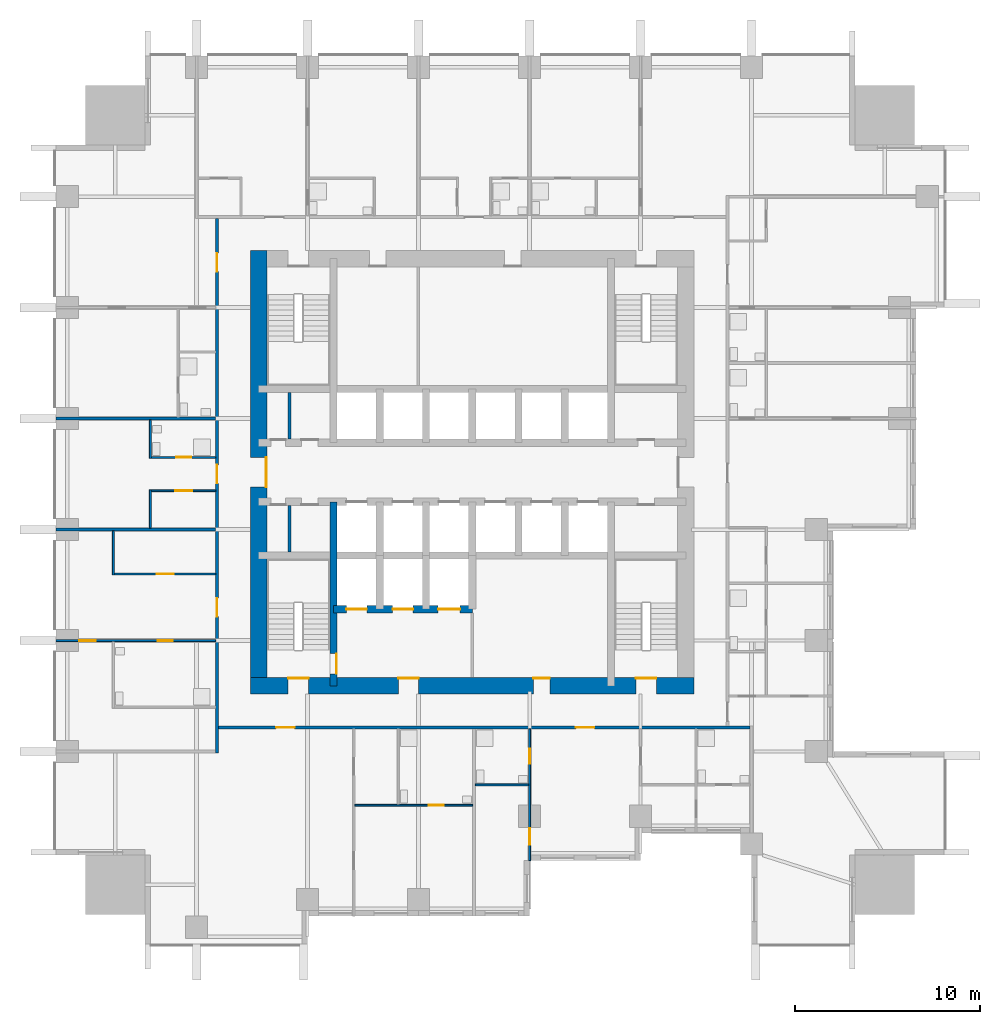
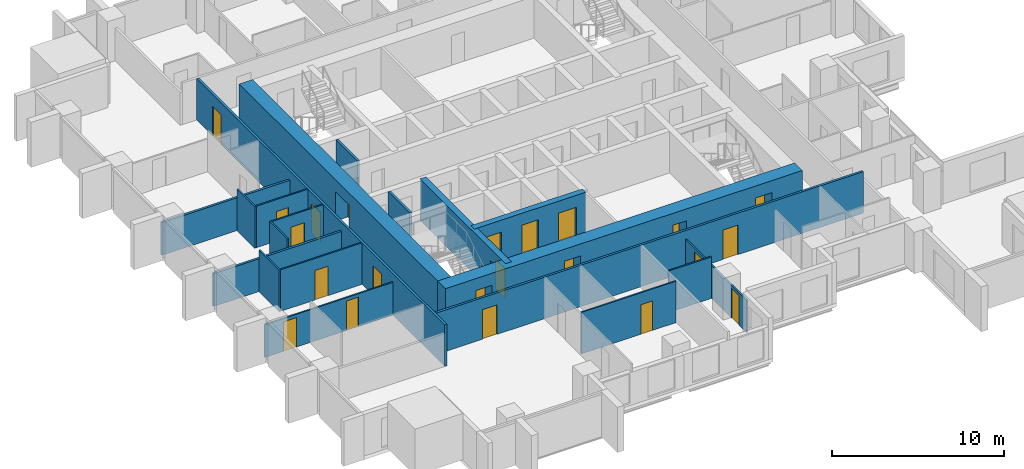
# One storey, part 4 of 10: 22 doors, 20 walls, 22 openings.
"""IFC4 building model written with IfcOpenShell, lengths in metres."""

from ifc_helpers import new_model, si_unit, direction, frame, frame_2d, origin, place, context, subcontext, project, spatial, rectangle, extrude, material, layer, layer_set, type_object, element, fill, save


model = new_model("IFC4")

# Units and contexts
model_context = context("Model", 3, precision=1e-05, world=origin(), true_north=direction((0.0, 1.0)))
body_context = subcontext(model_context, "Body", "Model", "MODEL_VIEW")
ifc_project = project(units=[si_unit("LENGTHUNIT", "METRE"), si_unit("AREAUNIT", "SQUARE_METRE"), si_unit("VOLUMEUNIT", "CUBIC_METRE"), si_unit("PLANEANGLEUNIT", "RADIAN"), si_unit("MASSUNIT", "GRAM", prefix="KILO")], contexts=[model_context])

# Site, building, storey
site_placement = place(None, origin())
site = spatial("IfcSite", under=ifc_project, at=site_placement, CompositionType="ELEMENT")
building_placement = place(site_placement, origin())
building = spatial("IfcBuilding", under=site, at=building_placement, Name="Amberfall Residences", CompositionType="ELEMENT")
storey_placement = place(building_placement, frame((0.0, 0.0, 66.39990234375)))
storey = spatial("IfcBuildingStorey", under=building, at=storey_placement, Name="L18", CompositionType="ELEMENT", Elevation=66.39990234375)

# Wall, opening, door
ifc_material_1 = material(Name="Concrete C80", Category="concrete")
ifc_layer_1 = layer(ifc_material_1, 0.39990234375)
ifc_layer_set_1 = layer_set([ifc_layer_1], Name="Core wall 400 C80")
wall_type_1 = type_object("IfcWallType", Name="Core wall 400 C80", PredefinedType="SHEAR", material=ifc_layer_set_1)
wall_1_placement = place(storey_placement, frame((67.0, 33.949951171875, 0.0), z_axis=(0.0, 0.0, 1.0), x_axis=(0.0, 1.0, 0.0)))
wall_1 = element("IfcWall", 1, at=wall_1_placement, inside=storey, type_object=wall_type_1, Name="Core wall RW2 L18 V45S", PredefinedType="SHEAR", context=body_context, shape_type="SweptSolid", body=[
    extrude(rectangle(XDim=9.949951171875, YDim=0.39990234375, at=frame_2d((4.97509765625, 0.0))), origin(), (0.0, 0.0, 1.0), 2.9501953125),
])
opening_1_placement = place(wall_1_placement, frame((0.64990234375, 0.0, 0.0)))
opening_1 = element("IfcOpeningElement", 2, at=opening_1_placement, cuts=wall_1, Name="Opening FL1", PredefinedType="OPENING", context=body_context, shape_type="SweptSolid", body=[
    extrude(rectangle(XDim=1.10009765625, YDim=2.10009765625, at=frame_2d((0.550048828125, 1.050048828125))), frame((0.0, 0.2099609375, 0.0), z_axis=(0.0, -1.0, 0.0), x_axis=(1.0, 0.0, 0.0)), (0.0, 0.0, 1.0), 0.419921875),
])
ifc_material_2 = material(Name="Steel fire door set", Category="steel")
door_type_1 = type_object("IfcDoorType", Name="Firefighting lobby door 1100 x 2100", OperationType="SINGLE_SWING_LEFT", PredefinedType="DOOR", material=ifc_material_2)
door_1_placement = place(opening_1_placement, origin())
door_1 = element("IfcDoor", 3, at=door_1_placement, inside=storey, type_object=door_type_1, Name="FL1 L18", OperationType="SINGLE_SWING_RIGHT", OverallHeight=2.10009765625, OverallWidth=1.10009765625, PredefinedType="DOOR", context=body_context, shape_type="SweptSolid", body=[
    extrude(rectangle(XDim=1.10009765625, YDim=2.10009765625, at=frame_2d((0.550048828125, 1.050048828125))), frame((0.0, -0.1376953125, 0.0), z_axis=(0.0, -1.0, 0.0), x_axis=(1.0, 0.0, 0.0)), (0.0, 0.0, 1.0), 0.050048828125),
])
fill(opening_1, door_1)

# Wall, openings, doors
wall_2_placement = place(storey_placement, frame((67.0, 38.10009765625, 0.0), z_axis=(0.0, 0.0, 1.0), x_axis=(1.0, 0.0, 0.0)))
wall_2 = element("IfcWall", 4, at=wall_2_placement, inside=storey, type_object=wall_type_1, Name="Core wall RW2 L18 FFF", PredefinedType="SHEAR", context=body_context, shape_type="SweptSolid", body=[
    extrude(rectangle(XDim=7.5, YDim=0.39990234375, at=frame_2d((3.75, 0.0))), origin(), (0.0, 0.0, 1.0), 2.9501953125),
])
opening_2_placement = place(wall_2_placement, frame((0.699951171875, 0.0, 0.0)))
opening_2 = element("IfcOpeningElement", 5, at=opening_2_placement, cuts=wall_2, Name="Opening LD2", PredefinedType="OPENING", context=body_context, shape_type="SweptSolid", body=[
    extrude(rectangle(XDim=1.10009765625, YDim=2.10009765625, at=frame_2d((0.550048828125, 1.050048828125))), frame((0.0, 0.2099609375, 0.0), z_axis=(0.0, -1.0, 0.0), x_axis=(1.0, 0.0, 0.0)), (0.0, 0.0, 1.0), 0.419921875),
])
opening_3_placement = place(wall_2_placement, frame((3.199951171875, 0.0, 0.0)))
opening_3 = element("IfcOpeningElement", 6, at=opening_3_placement, cuts=wall_2, Name="Opening LD2", PredefinedType="OPENING", context=body_context, shape_type="SweptSolid", body=[
    extrude(rectangle(XDim=1.10009765625, YDim=2.10009765625, at=frame_2d((0.550048828125, 1.050048828125))), frame((0.0, 0.2099609375, 0.0), z_axis=(0.0, -1.0, 0.0), x_axis=(1.0, 0.0, 0.0)), (0.0, 0.0, 1.0), 0.419921875),
])
opening_4_placement = place(wall_2_placement, frame((5.64990234375, 0.0, 0.0)))
opening_4 = element("IfcOpeningElement", 7, at=opening_4_placement, cuts=wall_2, Name="Opening LD3", PredefinedType="OPENING", context=body_context, shape_type="SweptSolid", body=[
    extrude(rectangle(XDim=1.199951171875, YDim=2.10009765625, at=frame_2d((0.60009765625, 1.050048828125))), frame((0.0, 0.2099609375, 0.0), z_axis=(0.0, -1.0, 0.0), x_axis=(1.0, 0.0, 0.0)), (0.0, 0.0, 1.0), 0.419921875),
])
door_type_2 = type_object("IfcDoorType", Name="Firefighting lift landing door 1100 x 2100", OperationType="DOUBLE_DOOR_SLIDING", PredefinedType="DOOR", material=ifc_material_2)
door_2_placement = place(opening_2_placement, origin())
door_2 = element("IfcDoor", 8, at=door_2_placement, inside=storey, type_object=door_type_2, Name="Landing door FF1 L18", OperationType="DOUBLE_DOOR_SLIDING", OverallHeight=2.10009765625, OverallWidth=1.10009765625, PredefinedType="DOOR", context=body_context, shape_type="SweptSolid", body=[
    extrude(rectangle(XDim=1.10009765625, YDim=2.10009765625, at=frame_2d((0.550048828125, 1.050048828125))), frame((0.0, 0.02490234375, 0.0), z_axis=(0.0, -1.0, 0.0), x_axis=(1.0, 0.0, 0.0)), (0.0, 0.0, 1.0), 0.050048828125),
])
fill(opening_2, door_2)
door_3_placement = place(opening_3_placement, origin())
door_3 = element("IfcDoor", 9, at=door_3_placement, inside=storey, type_object=door_type_2, Name="Landing door FF2 L18", OperationType="DOUBLE_DOOR_SLIDING", OverallHeight=2.10009765625, OverallWidth=1.10009765625, PredefinedType="DOOR", context=body_context, shape_type="SweptSolid", body=[
    extrude(rectangle(XDim=1.10009765625, YDim=2.10009765625, at=frame_2d((0.550048828125, 1.050048828125))), frame((0.0, 0.02490234375, 0.0), z_axis=(0.0, -1.0, 0.0), x_axis=(1.0, 0.0, 0.0)), (0.0, 0.0, 1.0), 0.050048828125),
])
fill(opening_3, door_3)
door_type_3 = type_object("IfcDoorType", Name="Service lift landing door 1200 x 2100", OperationType="DOUBLE_DOOR_SLIDING", PredefinedType="DOOR", material=ifc_material_2)
door_4_placement = place(opening_4_placement, origin())
door_4 = element("IfcDoor", 10, at=door_4_placement, inside=storey, type_object=door_type_3, Name="Landing door SL1 L18", OperationType="DOUBLE_DOOR_SLIDING", OverallHeight=2.10009765625, OverallWidth=1.199951171875, PredefinedType="DOOR", context=body_context, shape_type="SweptSolid", body=[
    extrude(rectangle(XDim=1.199951171875, YDim=2.10009765625, at=frame_2d((0.60009765625, 1.050048828125))), frame((0.0, 0.02490234375, 0.0), z_axis=(0.0, -1.0, 0.0), x_axis=(1.0, 0.0, 0.0)), (0.0, 0.0, 1.0), 0.050048828125),
])
fill(opening_4, door_4)

ifc_layer_2 = layer(ifc_material_1, 0.89990234375)
ifc_layer_set_2 = layer_set([ifc_layer_2], Name="Core wall 900 C80")
wall_type_2 = type_object("IfcWallType", Name="Core wall 900 C80", PredefinedType="SHEAR", material=ifc_layer_set_2)
wall_3_placement = place(storey_placement, frame((62.5, 33.949951171875, 0.0), z_axis=(0.0, 0.0, 1.0), x_axis=(1.0, 0.0, 0.0)))
wall_3 = element("IfcWall", 11, at=wall_3_placement, inside=storey, type_object=wall_type_2, Name="Core wall RW1 L18 OS", PredefinedType="SHEAR", context=body_context, shape_type="SweptSolid", body=[
    extrude(rectangle(XDim=24.0, YDim=0.89990234375, at=frame_2d((12.0, 0.0))), origin(), (0.0, 0.0, 1.0), 2.9501953125),
])
opening_5_placement = place(wall_3_placement, frame((2.050048828125, 0.0, 0.0)))
opening_5 = element("IfcOpeningElement", 12, at=opening_5_placement, cuts=wall_3, Name="Opening SD1", PredefinedType="OPENING", context=body_context, shape_type="SweptSolid", body=[
    extrude(rectangle(XDim=1.10009765625, YDim=2.10009765625, at=frame_2d((0.550048828125, 1.050048828125))), frame((0.0, 0.4599609375, 0.0), z_axis=(0.0, -1.0, 0.0), x_axis=(1.0, 0.0, 0.0)), (0.0, 0.0, 1.0), 0.919921875),
])
opening_6_placement = place(wall_3_placement, frame((20.85009765625, 0.0, 0.0)))
opening_6 = element("IfcOpeningElement", 13, at=opening_6_placement, cuts=wall_3, Name="Opening SD1", PredefinedType="OPENING", context=body_context, shape_type="SweptSolid", body=[
    extrude(rectangle(XDim=1.10009765625, YDim=2.10009765625, at=frame_2d((0.550048828125, 1.050048828125))), frame((0.0, 0.4599609375, 0.0), z_axis=(0.0, -1.0, 0.0), x_axis=(1.0, 0.0, 0.0)), (0.0, 0.0, 1.0), 0.919921875),
])
opening_7_placement = place(wall_3_placement, frame((8.0, 0.0, 0.0)))
opening_7 = element("IfcOpeningElement", 14, at=opening_7_placement, cuts=wall_3, Name="Opening FL1", PredefinedType="OPENING", context=body_context, shape_type="SweptSolid", body=[
    extrude(rectangle(XDim=1.10009765625, YDim=2.10009765625, at=frame_2d((0.550048828125, 1.050048828125))), frame((0.0, 0.4599609375, 0.0), z_axis=(0.0, -1.0, 0.0), x_axis=(1.0, 0.0, 0.0)), (0.0, 0.0, 1.0), 0.919921875),
])
opening_8_placement = place(wall_3_placement, frame((15.300048828125, 0.0, 0.0)))
opening_8 = element("IfcOpeningElement", 15, at=opening_8_placement, cuts=wall_3, Name="Opening RD1", PredefinedType="OPENING", context=body_context, shape_type="SweptSolid", body=[
    extrude(rectangle(XDim=0.89990234375, YDim=2.10009765625, at=frame_2d((0.449951171875, 1.050048828125))), frame((0.0, 0.4599609375, 0.0), z_axis=(0.0, -1.0, 0.0), x_axis=(1.0, 0.0, 0.0)), (0.0, 0.0, 1.0), 0.919921875),
])
door_5_placement = place(opening_7_placement, origin())
door_5 = element("IfcDoor", 16, at=door_5_placement, inside=storey, type_object=door_type_1, Name="FL1 L18", OperationType="SINGLE_SWING_LEFT", OverallHeight=2.10009765625, OverallWidth=1.10009765625, PredefinedType="DOOR", context=body_context, shape_type="SweptSolid", body=[
    extrude(rectangle(XDim=1.10009765625, YDim=2.10009765625, at=frame_2d((0.550048828125, 1.050048828125))), frame((0.0, 0.4375, 0.0), z_axis=(0.0, -1.0, 0.0), x_axis=(1.0, 0.0, 0.0)), (0.0, 0.0, 1.0), 0.050048828125),
])
fill(opening_7, door_5)
door_type_4 = type_object("IfcDoorType", Name="Service room door 900 x 2100", OperationType="SINGLE_SWING_LEFT", PredefinedType="DOOR", material=ifc_material_2)
door_6_placement = place(opening_8_placement, origin())
door_6 = element("IfcDoor", 17, at=door_6_placement, inside=storey, type_object=door_type_4, Name="RD1 L18", OperationType="SINGLE_SWING_LEFT", OverallHeight=2.10009765625, OverallWidth=0.89990234375, PredefinedType="DOOR", context=body_context, shape_type="SweptSolid", body=[
    extrude(rectangle(XDim=0.89990234375, YDim=2.10009765625, at=frame_2d((0.449951171875, 1.050048828125))), frame((0.0, 0.4375, 0.0), z_axis=(0.0, -1.0, 0.0), x_axis=(1.0, 0.0, 0.0)), (0.0, 0.0, 1.0), 0.050048828125),
])
fill(opening_8, door_6)
door_type_5 = type_object("IfcDoorType", Name="Stair door 1100 x 2100", OperationType="SINGLE_SWING_LEFT", PredefinedType="DOOR", material=ifc_material_2)
door_7_placement = place(opening_5_placement, origin())
door_7 = element("IfcDoor", 18, at=door_7_placement, inside=storey, type_object=door_type_5, Name="SD1 L18", OperationType="SINGLE_SWING_LEFT", OverallHeight=2.10009765625, OverallWidth=1.10009765625, PredefinedType="DOOR", context=body_context, shape_type="SweptSolid", body=[
    extrude(rectangle(XDim=1.10009765625, YDim=2.10009765625, at=frame_2d((0.550048828125, 1.050048828125))), frame((0.0, 0.4375, 0.0), z_axis=(0.0, -1.0, 0.0), x_axis=(1.0, 0.0, 0.0)), (0.0, 0.0, 1.0), 0.050048828125),
])
fill(opening_5, door_7)
door_8_placement = place(opening_6_placement, origin())
door_8 = element("IfcDoor", 19, at=door_8_placement, inside=storey, type_object=door_type_5, Name="SD1 L18", OperationType="SINGLE_SWING_RIGHT", OverallHeight=2.10009765625, OverallWidth=1.10009765625, PredefinedType="DOOR", context=body_context, shape_type="SweptSolid", body=[
    extrude(rectangle(XDim=1.10009765625, YDim=2.10009765625, at=frame_2d((0.550048828125, 1.050048828125))), frame((0.0, 0.4375, 0.0), z_axis=(0.0, -1.0, 0.0), x_axis=(1.0, 0.0, 0.0)), (0.0, 0.0, 1.0), 0.050048828125),
])
fill(opening_6, door_8)

# Wall, opening, door
wall_4_placement = place(storey_placement, frame((62.949951171875, 33.5, 0.0), z_axis=(0.0, 0.0, 1.0), x_axis=(0.0, 1.0, 0.0)))
wall_4 = element("IfcWall", 20, at=wall_4_placement, inside=storey, type_object=wall_type_2, Name="Core wall RW1 L18 OW", PredefinedType="SHEAR", context=body_context, shape_type="SweptSolid", body=[
    extrude(rectangle(XDim=24.0, YDim=0.89990234375, at=frame_2d((12.0, 0.0))), origin(), (0.0, 0.0, 1.0), 2.9501953125),
])
opening_9_placement = place(wall_4_placement, frame((11.199951171875, 0.0, 0.0)))
opening_9 = element("IfcOpeningElement", 21, at=opening_9_placement, cuts=wall_4, Name="Opening LB1", PredefinedType="OPENING", context=body_context, shape_type="SweptSolid", body=[
    extrude(rectangle(XDim=1.60009765625, YDim=2.10009765625, at=frame_2d((0.800048828125, 1.050048828125))), frame((0.0, 0.4599609375, 0.0), z_axis=(0.0, -1.0, 0.0), x_axis=(1.0, 0.0, 0.0)), (0.0, 0.0, 1.0), 0.919921875),
])
door_type_6 = type_object("IfcDoorType", Name="Lift lobby double door 1600 x 2100", OperationType="DOUBLE_DOOR_SINGLE_SWING", PredefinedType="DOOR", material=ifc_material_2)
door_9_placement = place(opening_9_placement, origin())
door_9 = element("IfcDoor", 22, at=door_9_placement, inside=storey, type_object=door_type_6, Name="LB1 L18", OperationType="DOUBLE_DOOR_SINGLE_SWING", OverallHeight=2.10009765625, OverallWidth=1.60009765625, PredefinedType="DOOR", context=body_context, shape_type="SweptSolid", body=[
    extrude(rectangle(XDim=1.60009765625, YDim=2.10009765625, at=frame_2d((0.800048828125, 1.050048828125))), frame((0.0, -0.3876953125, 0.0), z_axis=(0.0, -1.0, 0.0), x_axis=(1.0, 0.0, 0.0)), (0.0, 0.0, 1.0), 0.050048828125),
])
fill(opening_9, door_9)

# Walls
ifc_material_3 = material(Name="Gypsum board on metal stud")
ifc_layer_3 = layer(ifc_material_3, 0.10009765625)
ifc_layer_set_3 = layer_set([ifc_layer_3], Name="Flat partition 100")
wall_type_3 = type_object("IfcWallType", Name="Flat partition 100", PredefinedType="PARTITIONING", material=ifc_layer_set_3)
wall_5_placement = place(storey_placement, frame((55.10009765625, 39.949951171875, 0.0), z_axis=(0.0, 0.0, 1.0), x_axis=(0.0, 1.0, 0.0)))
element("IfcWall", 23, at=wall_5_placement, inside=storey, type_object=wall_type_3, Name="Partition 002", PredefinedType="PARTITIONING", context=body_context, shape_type="SweptSolid", body=[
    extrude(rectangle(XDim=2.375, YDim=0.10009765625, at=frame_2d((1.1875, 0.0))), origin(), (0.0, 0.0, 1.0), 2.9501953125),
])
for number, where, z_axis, x_axis, name in (
    (24, (57.10009765625, 42.47509765625, 0.0), (0.0, 0.0, 1.0), (0.0, 1.0, 0.0), "Partition 003"),
    (25, (57.10009765625, 46.25, 0.0), (0.0, 0.0, 1.0), (0.0, 1.0, 0.0), "Partition 004"),
):
    element("IfcWall", number, at=place(storey_placement, frame(where, z_axis=z_axis, x_axis=x_axis)), inside=storey, type_object=wall_type_3, Name=name, PredefinedType="PARTITIONING", context=body_context, shape_type="SweptSolid", body=[
        extrude(rectangle(XDim=2.074951171875, YDim=0.10009765625, at=frame_2d((1.03759765625, 0.0))), origin(), (0.0, 0.0, 1.0), 2.9501953125),
    ])

# Wall, openings, doors
wall_6_placement = place(storey_placement, frame((77.60009765625, 24.5, 0.0), z_axis=(0.0, 0.0, 1.0), x_axis=(0.0, 1.0, 0.0)))
wall_6 = element("IfcWall", 26, at=wall_6_placement, inside=storey, type_object=wall_type_3, Name="Partition 013", PredefinedType="PARTITIONING", context=body_context, shape_type="SweptSolid", body=[
    extrude(rectangle(XDim=7.125, YDim=0.10009765625, at=frame_2d((3.5625, 0.0))), origin(), (0.0, 0.0, 1.0), 2.33203125),
])
opening_10_placement = place(wall_6_placement, frame((0.85009765625, 0.0, 0.0)))
opening_10 = element("IfcOpeningElement", 27, at=opening_10_placement, cuts=wall_6, Name="Opening D41", PredefinedType="OPENING", context=body_context, shape_type="SweptSolid", body=[
    extrude(rectangle(XDim=0.89990234375, YDim=2.10009765625, at=frame_2d((0.449951171875, 1.050048828125))), frame((0.0, 0.06005859375, 0.0), z_axis=(0.0, -1.0, 0.0), x_axis=(1.0, 0.0, 0.0)), (0.0, 0.0, 1.0), 0.1201171875),
])
opening_11_placement = place(wall_6_placement, frame((5.25, 0.0, 0.0)))
opening_11 = element("IfcOpeningElement", 28, at=opening_11_placement, cuts=wall_6, Name="Opening D42", PredefinedType="OPENING", context=body_context, shape_type="SweptSolid", body=[
    extrude(rectangle(XDim=0.800048828125, YDim=2.10009765625, at=frame_2d((0.39990234375, 1.050048828125))), frame((0.0, 0.06005859375, 0.0), z_axis=(0.0, -1.0, 0.0), x_axis=(1.0, 0.0, 0.0)), (0.0, 0.0, 1.0), 0.1201171875),
])
ifc_material_4 = material(Name="Timber", Category="wood")
door_type_7 = type_object("IfcDoorType", Name="Bathroom door 800 x 2100", OperationType="SINGLE_SWING_LEFT", PredefinedType="DOOR", material=ifc_material_4)
door_10_placement = place(opening_11_placement, origin())
door_10 = element("IfcDoor", 29, at=door_10_placement, inside=storey, type_object=door_type_7, Name="Door 1802 bath1", OperationType="SINGLE_SWING_LEFT", OverallHeight=2.10009765625, OverallWidth=0.800048828125, PredefinedType="DOOR", context=body_context, shape_type="SweptSolid", body=[
    extrude(rectangle(XDim=0.800048828125, YDim=2.10009765625, at=frame_2d((0.39990234375, 1.050048828125))), frame((0.0, 0.02490234375, 0.0), z_axis=(0.0, -1.0, 0.0), x_axis=(1.0, 0.0, 0.0)), (0.0, 0.0, 1.0), 0.050048828125),
])
fill(opening_11, door_10)
door_type_8 = type_object("IfcDoorType", Name="Internal door 900 x 2100", OperationType="SINGLE_SWING_LEFT", PredefinedType="DOOR", material=ifc_material_4)
door_11_placement = place(opening_10_placement, origin())
door_11 = element("IfcDoor", 30, at=door_11_placement, inside=storey, type_object=door_type_8, Name="Door 1802 bedroom1", OperationType="SINGLE_SWING_LEFT", OverallHeight=2.10009765625, OverallWidth=0.89990234375, PredefinedType="DOOR", context=body_context, shape_type="SweptSolid", body=[
    extrude(rectangle(XDim=0.89990234375, YDim=2.10009765625, at=frame_2d((0.449951171875, 1.050048828125))), frame((0.0, 0.02490234375, 0.0), z_axis=(0.0, -1.0, 0.0), x_axis=(1.0, 0.0, 0.0)), (0.0, 0.0, 1.0), 0.050048828125),
])
fill(opening_10, door_11)

# Wall, opening, door
wall_7_placement = place(storey_placement, frame((57.14990234375, 46.300048828125, 0.0), z_axis=(0.0, 0.0, 1.0), x_axis=(1.0, 0.0, 0.0)))
wall_7 = element("IfcWall", 31, at=wall_7_placement, inside=storey, type_object=wall_type_3, Name="Partition 030", PredefinedType="PARTITIONING", context=body_context, shape_type="SweptSolid", body=[
    extrude(rectangle(XDim=3.47509765625, YDim=0.10009765625, at=frame_2d((1.737548828125, 0.0))), origin(), (0.0, 0.0, 1.0), 2.9501953125),
])
opening_12_placement = place(wall_7_placement, frame((1.35009765625, 0.0, 0.0)))
opening_12 = element("IfcOpeningElement", 32, at=opening_12_placement, cuts=wall_7, Name="Opening D42", PredefinedType="OPENING", context=body_context, shape_type="SweptSolid", body=[
    extrude(rectangle(XDim=0.800048828125, YDim=2.10009765625, at=frame_2d((0.39990234375, 1.050048828125))), frame((0.0, 0.06005859375, 0.0), z_axis=(0.0, -1.0, 0.0), x_axis=(1.0, 0.0, 0.0)), (0.0, 0.0, 1.0), 0.1201171875),
])
door_12_placement = place(opening_12_placement, origin())
door_12 = element("IfcDoor", 33, at=door_12_placement, inside=storey, type_object=door_type_7, Name="Door 1810 bath1", OperationType="SINGLE_SWING_LEFT", OverallHeight=2.10009765625, OverallWidth=0.800048828125, PredefinedType="DOOR", context=body_context, shape_type="SweptSolid", body=[
    extrude(rectangle(XDim=0.800048828125, YDim=2.10009765625, at=frame_2d((0.39990234375, 1.050048828125))), frame((0.0, 0.02490234375, 0.0), z_axis=(0.0, -1.0, 0.0), x_axis=(1.0, 0.0, 0.0)), (0.0, 0.0, 1.0), 0.050048828125),
])
fill(opening_12, door_12)

wall_8_placement = place(storey_placement, frame((60.625, 44.5, 0.0), z_axis=(0.0, 0.0, 1.0), x_axis=(-1.0, 0.0, 0.0)))
wall_8 = element("IfcWall", 34, at=wall_8_placement, inside=storey, type_object=wall_type_3, Name="Partition 031", PredefinedType="PARTITIONING", context=body_context, shape_type="SweptSolid", body=[
    extrude(rectangle(XDim=3.47509765625, YDim=0.10009765625, at=frame_2d((1.737548828125, 0.0))), origin(), (0.0, 0.0, 1.0), 2.9501953125),
])
opening_13_placement = place(wall_8_placement, frame((1.27490234375, 0.0, 0.0)))
opening_13 = element("IfcOpeningElement", 35, at=opening_13_placement, cuts=wall_8, Name="Opening D41", PredefinedType="OPENING", context=body_context, shape_type="SweptSolid", body=[
    extrude(rectangle(XDim=0.89990234375, YDim=2.10009765625, at=frame_2d((0.449951171875, 1.050048828125))), frame((0.0, 0.06005859375, 0.0), z_axis=(0.0, -1.0, 0.0), x_axis=(1.0, 0.0, 0.0)), (0.0, 0.0, 1.0), 0.1201171875),
])
door_13_placement = place(opening_13_placement, origin())
door_13 = element("IfcDoor", 36, at=door_13_placement, inside=storey, type_object=door_type_8, Name="Door 1810 kitchen", OperationType="SINGLE_SWING_LEFT", OverallHeight=2.10009765625, OverallWidth=0.89990234375, PredefinedType="DOOR", context=body_context, shape_type="SweptSolid", body=[
    extrude(rectangle(XDim=0.89990234375, YDim=2.10009765625, at=frame_2d((0.449951171875, 1.050048828125))), frame((0.0, 0.02490234375, 0.0), z_axis=(0.0, -1.0, 0.0), x_axis=(1.0, 0.0, 0.0)), (0.0, 0.0, 1.0), 0.050048828125),
])
fill(opening_13, door_13)

wall_9_placement = place(storey_placement, frame((55.14990234375, 40.0, 0.0), z_axis=(0.0, 0.0, 1.0), x_axis=(1.0, 0.0, 0.0)))
wall_9 = element("IfcWall", 37, at=wall_9_placement, inside=storey, type_object=wall_type_3, Name="Partition 033", PredefinedType="PARTITIONING", context=body_context, shape_type="SweptSolid", body=[
    extrude(rectangle(XDim=5.47509765625, YDim=0.10009765625, at=frame_2d((2.737548828125, 0.0))), origin(), (0.0, 0.0, 1.0), 2.9501953125),
])
opening_14_placement = place(wall_9_placement, frame((2.300048828125, 0.0, 0.0)))
opening_14 = element("IfcOpeningElement", 38, at=opening_14_placement, cuts=wall_9, Name="Opening D41", PredefinedType="OPENING", context=body_context, shape_type="SweptSolid", body=[
    extrude(rectangle(XDim=0.89990234375, YDim=2.10009765625, at=frame_2d((0.449951171875, 1.050048828125))), frame((0.0, 0.06005859375, 0.0), z_axis=(0.0, -1.0, 0.0), x_axis=(1.0, 0.0, 0.0)), (0.0, 0.0, 1.0), 0.1201171875),
])
door_14_placement = place(opening_14_placement, origin())
door_14 = element("IfcDoor", 39, at=door_14_placement, inside=storey, type_object=door_type_8, Name="Door 1809 kitchen", OperationType="SINGLE_SWING_LEFT", OverallHeight=2.10009765625, OverallWidth=0.89990234375, PredefinedType="DOOR", context=body_context, shape_type="SweptSolid", body=[
    extrude(rectangle(XDim=0.89990234375, YDim=2.10009765625, at=frame_2d((0.449951171875, 1.050048828125))), frame((0.0, 0.02490234375, 0.0), z_axis=(0.0, -1.0, 0.0), x_axis=(1.0, 0.0, 0.0)), (0.0, 0.0, 1.0), 0.050048828125),
])
fill(opening_14, door_14)

# Wall, openings, doors
wall_10_placement = place(storey_placement, frame((60.625, 36.39990234375, 0.0), z_axis=(0.0, 0.0, 1.0), x_axis=(-1.0, 0.0, 0.0)))
wall_10 = element("IfcWall", 40, at=wall_10_placement, inside=storey, type_object=wall_type_3, Name="Partition 034", PredefinedType="PARTITIONING", context=body_context, shape_type="SweptSolid", body=[
    extrude(rectangle(XDim=8.625, YDim=0.10009765625, at=frame_2d((4.3125, 0.0))), origin(), (0.0, 0.0, 1.0), 2.33203125),
])
opening_15_placement = place(wall_10_placement, frame((6.47509765625, 0.0, 0.0)))
opening_15 = element("IfcOpeningElement", 41, at=opening_15_placement, cuts=wall_10, Name="Opening D41", PredefinedType="OPENING", context=body_context, shape_type="SweptSolid", body=[
    extrude(rectangle(XDim=0.89990234375, YDim=2.10009765625, at=frame_2d((0.449951171875, 1.050048828125))), frame((0.0, 0.06005859375, 0.0), z_axis=(0.0, -1.0, 0.0), x_axis=(1.0, 0.0, 0.0)), (0.0, 0.0, 1.0), 0.1201171875),
])
opening_16_placement = place(wall_10_placement, frame((2.324951171875, 0.0, 0.0)))
opening_16 = element("IfcOpeningElement", 42, at=opening_16_placement, cuts=wall_10, Name="Opening D42", PredefinedType="OPENING", context=body_context, shape_type="SweptSolid", body=[
    extrude(rectangle(XDim=0.800048828125, YDim=2.10009765625, at=frame_2d((0.39990234375, 1.050048828125))), frame((0.0, 0.06005859375, 0.0), z_axis=(0.0, -1.0, 0.0), x_axis=(1.0, 0.0, 0.0)), (0.0, 0.0, 1.0), 0.1201171875),
])
door_15_placement = place(opening_16_placement, origin())
door_15 = element("IfcDoor", 43, at=door_15_placement, inside=storey, type_object=door_type_7, Name="Door 1809 bath1", OperationType="SINGLE_SWING_LEFT", OverallHeight=2.10009765625, OverallWidth=0.800048828125, PredefinedType="DOOR", context=body_context, shape_type="SweptSolid", body=[
    extrude(rectangle(XDim=0.800048828125, YDim=2.10009765625, at=frame_2d((0.39990234375, 1.050048828125))), frame((0.0, 0.02490234375, 0.0), z_axis=(0.0, -1.0, 0.0), x_axis=(1.0, 0.0, 0.0)), (0.0, 0.0, 1.0), 0.050048828125),
])
fill(opening_16, door_15)
door_16_placement = place(opening_15_placement, origin())
door_16 = element("IfcDoor", 44, at=door_16_placement, inside=storey, type_object=door_type_8, Name="Door 1809 bedroom1", OperationType="SINGLE_SWING_LEFT", OverallHeight=2.10009765625, OverallWidth=0.89990234375, PredefinedType="DOOR", context=body_context, shape_type="SweptSolid", body=[
    extrude(rectangle(XDim=0.89990234375, YDim=2.10009765625, at=frame_2d((0.449951171875, 1.050048828125))), frame((0.0, 0.02490234375, 0.0), z_axis=(0.0, -1.0, 0.0), x_axis=(1.0, 0.0, 0.0)), (0.0, 0.0, 1.0), 0.050048828125),
])
fill(opening_15, door_16)

# Wall
wall_11_placement = place(storey_placement, frame((74.675048828125, 28.60009765625, 0.0), z_axis=(0.0, 0.0, 1.0), x_axis=(1.0, 0.0, 0.0)))
element("IfcWall", 45, at=wall_11_placement, inside=storey, type_object=wall_type_3, Name="Partition 038", PredefinedType="PARTITIONING", context=body_context, shape_type="SweptSolid", body=[
    extrude(rectangle(XDim=2.875, YDim=0.10009765625, at=frame_2d((1.4375, 0.0))), origin(), (0.0, 0.0, 1.0), 2.9501953125),
])

# Wall, opening, door
wall_12_placement = place(storey_placement, frame((68.14990234375, 27.5, 0.0), z_axis=(0.0, 0.0, 1.0), x_axis=(1.0, 0.0, 0.0)))
wall_12 = element("IfcWall", 46, at=wall_12_placement, inside=storey, type_object=wall_type_3, Name="Partition 040", PredefinedType="PARTITIONING", context=body_context, shape_type="SweptSolid", body=[
    extrude(rectangle(XDim=6.375, YDim=0.10009765625, at=frame_2d((3.1875, 0.0))), origin(), (0.0, 0.0, 1.0), 2.9501953125),
])
opening_17_placement = place(wall_12_placement, frame((4.0, 0.0, 0.0)))
opening_17 = element("IfcOpeningElement", 47, at=opening_17_placement, cuts=wall_12, Name="Opening D42", PredefinedType="OPENING", context=body_context, shape_type="SweptSolid", body=[
    extrude(rectangle(XDim=0.800048828125, YDim=2.10009765625, at=frame_2d((0.39990234375, 1.050048828125))), frame((0.0, 0.06005859375, 0.0), z_axis=(0.0, -1.0, 0.0), x_axis=(1.0, 0.0, 0.0)), (0.0, 0.0, 1.0), 0.1201171875),
])
door_17_placement = place(opening_17_placement, origin())
door_17 = element("IfcDoor", 48, at=door_17_placement, inside=storey, type_object=door_type_7, Name="Door 1801 bath1", OperationType="SINGLE_SWING_LEFT", OverallHeight=2.10009765625, OverallWidth=0.800048828125, PredefinedType="DOOR", context=body_context, shape_type="SweptSolid", body=[
    extrude(rectangle(XDim=0.800048828125, YDim=2.10009765625, at=frame_2d((0.39990234375, 1.050048828125))), frame((0.0, 0.02490234375, 0.0), z_axis=(0.0, -1.0, 0.0), x_axis=(1.0, 0.0, 0.0)), (0.0, 0.0, 1.0), 0.050048828125),
])
fill(opening_17, door_17)

# Wall, openings, doors
ifc_material_5 = material(Name="Blockwork, plastered", Category="masonry")
ifc_layer_4 = layer(ifc_material_5, 0.14990234375)
ifc_layer_set_4 = layer_set([ifc_layer_4], Name="Flat separating wall 150")
wall_type_4 = type_object("IfcWallType", Name="Flat separating wall 150", PredefinedType="PARTITIONING", material=ifc_layer_set_4)
wall_13_placement = place(storey_placement, frame((60.699951171875, 30.324951171875, 0.0), z_axis=(0.0, 0.0, 1.0), x_axis=(0.0, 1.0, 0.0)))
wall_13 = element("IfcWall", 49, at=wall_13_placement, inside=storey, type_object=wall_type_4, Name="Separating wall 042", PredefinedType="PARTITIONING", context=body_context, shape_type="SweptSolid", body=[
    extrude(rectangle(XDim=28.900146484375, YDim=0.14990234375, at=frame_2d((14.4501953125, 0.0))), origin(), (0.0, 0.0, 1.0), 2.9501953125),
])
opening_18_placement = place(wall_13_placement, frame((7.375, 0.0, 0.0)))
opening_18 = element("IfcOpeningElement", 50, at=opening_18_placement, cuts=wall_13, Name="Opening D40", PredefinedType="OPENING", context=body_context, shape_type="SweptSolid", body=[
    extrude(rectangle(XDim=1.0, YDim=2.10009765625, at=frame_2d((0.5, 1.050048828125))), frame((0.0, 0.0849609375, 0.0), z_axis=(0.0, -1.0, 0.0), x_axis=(1.0, 0.0, 0.0)), (0.0, 0.0, 1.0), 0.169921875),
])
opening_19_placement = place(wall_13_placement, frame((14.574951171875, 0.0, 0.0)))
opening_19 = element("IfcOpeningElement", 51, at=opening_19_placement, cuts=wall_13, Name="Opening D40", PredefinedType="OPENING", context=body_context, shape_type="SweptSolid", body=[
    extrude(rectangle(XDim=1.0, YDim=2.10009765625, at=frame_2d((0.5, 1.050048828125))), frame((0.0, 0.0849609375, 0.0), z_axis=(0.0, -1.0, 0.0), x_axis=(1.0, 0.0, 0.0)), (0.0, 0.0, 1.0), 0.169921875),
])
opening_20_placement = place(wall_13_placement, frame((26.02490234375, 0.0, 0.0)))
opening_20 = element("IfcOpeningElement", 52, at=opening_20_placement, cuts=wall_13, Name="Opening D40", PredefinedType="OPENING", context=body_context, shape_type="SweptSolid", body=[
    extrude(rectangle(XDim=1.0, YDim=2.10009765625, at=frame_2d((0.5, 1.050048828125))), frame((0.0, 0.0849609375, 0.0), z_axis=(0.0, -1.0, 0.0), x_axis=(1.0, 0.0, 0.0)), (0.0, 0.0, 1.0), 0.169921875),
])
ifc_material_6 = material(Name="Timber, fire-rated", Category="wood")
door_type_9 = type_object("IfcDoorType", Name="Flat entrance door FD60 1000 x 2100", OperationType="SINGLE_SWING_LEFT", PredefinedType="DOOR", material=ifc_material_6)
door_18_placement = place(opening_18_placement, origin())
door_18 = element("IfcDoor", 53, at=door_18_placement, inside=storey, type_object=door_type_9, Name="Door 1809 entrance", OperationType="SINGLE_SWING_LEFT", OverallHeight=2.10009765625, OverallWidth=1.0, PredefinedType="DOOR", context=body_context, shape_type="SweptSolid", body=[
    extrude(rectangle(XDim=1.0, YDim=2.10009765625, at=frame_2d((0.5, 1.050048828125))), frame((0.0, 0.02490234375, 0.0), z_axis=(0.0, -1.0, 0.0), x_axis=(1.0, 0.0, 0.0)), (0.0, 0.0, 1.0), 0.050048828125),
])
fill(opening_18, door_18)
door_19_placement = place(opening_19_placement, origin())
door_19 = element("IfcDoor", 54, at=door_19_placement, inside=storey, type_object=door_type_9, Name="Door 1810 entrance", OperationType="SINGLE_SWING_LEFT", OverallHeight=2.10009765625, OverallWidth=1.0, PredefinedType="DOOR", context=body_context, shape_type="SweptSolid", body=[
    extrude(rectangle(XDim=1.0, YDim=2.10009765625, at=frame_2d((0.5, 1.050048828125))), frame((0.0, 0.02490234375, 0.0), z_axis=(0.0, -1.0, 0.0), x_axis=(1.0, 0.0, 0.0)), (0.0, 0.0, 1.0), 0.050048828125),
])
fill(opening_19, door_19)
door_20_placement = place(opening_20_placement, origin())
door_20 = element("IfcDoor", 55, at=door_20_placement, inside=storey, type_object=door_type_9, Name="Door 1811 entrance", OperationType="SINGLE_SWING_LEFT", OverallHeight=2.10009765625, OverallWidth=1.0, PredefinedType="DOOR", context=body_context, shape_type="SweptSolid", body=[
    extrude(rectangle(XDim=1.0, YDim=2.10009765625, at=frame_2d((0.5, 1.050048828125))), frame((0.0, 0.02490234375, 0.0), z_axis=(0.0, -1.0, 0.0), x_axis=(1.0, 0.0, 0.0)), (0.0, 0.0, 1.0), 0.050048828125),
])
fill(opening_20, door_20)

# Walls
for number, where, z_axis, x_axis, name in (
    (56, (52.0, 48.39990234375, 0.0), (0.0, 0.0, 1.0), (1.0, 0.0, 0.0), "Separating wall 051"),
    (57, (52.0, 42.39990234375, 0.0), (0.0, 0.0, 1.0), (1.0, 0.0, 0.0), "Separating wall 052"),
):
    element("IfcWall", number, at=place(storey_placement, frame(where, z_axis=z_axis, x_axis=x_axis)), inside=storey, type_object=wall_type_4, Name=name, PredefinedType="PARTITIONING", context=body_context, shape_type="SweptSolid", body=[
        extrude(rectangle(XDim=8.625, YDim=0.14990234375, at=frame_2d((4.3125, 0.0))), origin(), (0.0, 0.0, 1.0), 2.33203125),
    ])

# Wall, openings, doors
wall_14_placement = place(storey_placement, frame((89.52490234375, 31.699951171875, 0.0), z_axis=(0.0, 0.0, 1.0), x_axis=(-1.0, 0.0, 0.0)))
wall_14 = element("IfcWall", 58, at=wall_14_placement, inside=storey, type_object=wall_type_4, Name="Separating wall 054", PredefinedType="PARTITIONING", context=body_context, shape_type="SweptSolid", body=[
    extrude(rectangle(XDim=28.75, YDim=0.14990234375, at=frame_2d((14.375, 0.0))), origin(), (0.0, 0.0, 1.0), 2.9501953125),
])
opening_21_placement = place(wall_14_placement, frame((24.625, 0.0, 0.0)))
opening_21 = element("IfcOpeningElement", 59, at=opening_21_placement, cuts=wall_14, Name="Opening D40", PredefinedType="OPENING", context=body_context, shape_type="SweptSolid", body=[
    extrude(rectangle(XDim=1.0, YDim=2.10009765625, at=frame_2d((0.5, 1.050048828125))), frame((0.0, 0.0849609375, 0.0), z_axis=(0.0, -1.0, 0.0), x_axis=(1.0, 0.0, 0.0)), (0.0, 0.0, 1.0), 0.169921875),
])
opening_22_placement = place(wall_14_placement, frame((8.425048828125, 0.0, 0.0)))
opening_22 = element("IfcOpeningElement", 60, at=opening_22_placement, cuts=wall_14, Name="Opening D40", PredefinedType="OPENING", context=body_context, shape_type="SweptSolid", body=[
    extrude(rectangle(XDim=1.0, YDim=2.10009765625, at=frame_2d((0.5, 1.050048828125))), frame((0.0, 0.0849609375, 0.0), z_axis=(0.0, -1.0, 0.0), x_axis=(1.0, 0.0, 0.0)), (0.0, 0.0, 1.0), 0.169921875),
])
door_21_placement = place(opening_21_placement, origin())
door_21 = element("IfcDoor", 61, at=door_21_placement, inside=storey, type_object=door_type_9, Name="Door 1801 entrance", OperationType="SINGLE_SWING_LEFT", OverallHeight=2.10009765625, OverallWidth=1.0, PredefinedType="DOOR", context=body_context, shape_type="SweptSolid", body=[
    extrude(rectangle(XDim=1.0, YDim=2.10009765625, at=frame_2d((0.5, 1.050048828125))), frame((0.0, 0.02490234375, 0.0), z_axis=(0.0, -1.0, 0.0), x_axis=(1.0, 0.0, 0.0)), (0.0, 0.0, 1.0), 0.050048828125),
])
fill(opening_21, door_21)
door_22_placement = place(opening_22_placement, origin())
door_22 = element("IfcDoor", 62, at=door_22_placement, inside=storey, type_object=door_type_9, Name="Door 1802 entrance", OperationType="SINGLE_SWING_LEFT", OverallHeight=2.10009765625, OverallWidth=1.0, PredefinedType="DOOR", context=body_context, shape_type="SweptSolid", body=[
    extrude(rectangle(XDim=1.0, YDim=2.10009765625, at=frame_2d((0.5, 1.050048828125))), frame((0.0, 0.02490234375, 0.0), z_axis=(0.0, -1.0, 0.0), x_axis=(1.0, 0.0, 0.0)), (0.0, 0.0, 1.0), 0.050048828125),
])
fill(opening_22, door_22)

# Walls
ifc_material_7 = material(Name="Concrete blockwork", Category="masonry")
ifc_layer_5 = layer(ifc_material_7, 0.14990234375)
ifc_layer_set_5 = layer_set([ifc_layer_5], Name="Riser wall 150")
wall_type_5 = type_object("IfcWallType", Name="Riser wall 150", PredefinedType="PLUMBINGWALL", material=ifc_layer_set_5)
for number, where, z_axis, x_axis, name in (
    (63, (64.6240234375, 41.199951171875, 0.0), (0.0, 0.0, 1.0), (0.0, 1.0, 0.0), "L18 core wall ASW0"),
    (64, (64.6240234375, 47.300048828125, 0.0), (0.0, 0.0, 1.0), (0.0, 1.0, 0.0), "L18 core wall ANW0"),
):
    element("IfcWall", number, at=place(storey_placement, frame(where, z_axis=z_axis, x_axis=x_axis)), inside=storey, type_object=wall_type_5, Name=name, PredefinedType="PLUMBINGWALL", context=body_context, shape_type="SweptSolid", body=[
        extrude(rectangle(XDim=2.5, YDim=0.14990234375, at=frame_2d((1.25, 0.0))), origin(), (0.0, 0.0, 1.0), 2.9501953125),
    ])

save(model, "model.ifc")
